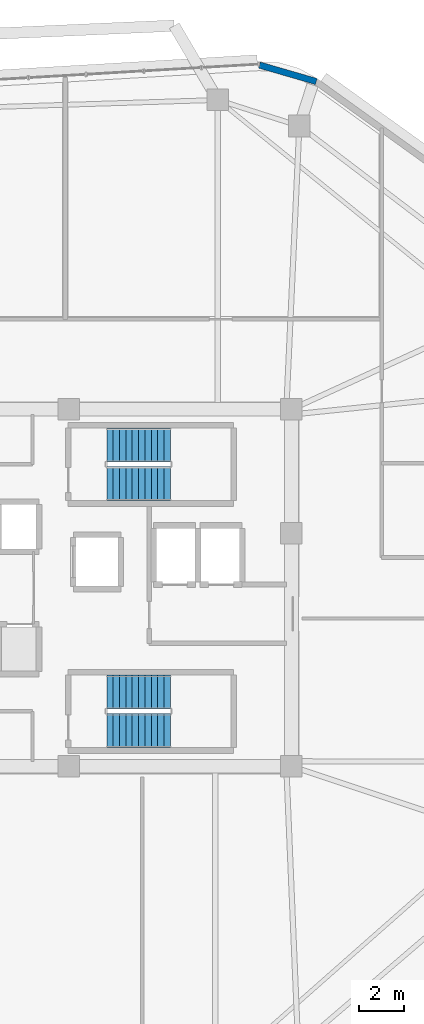
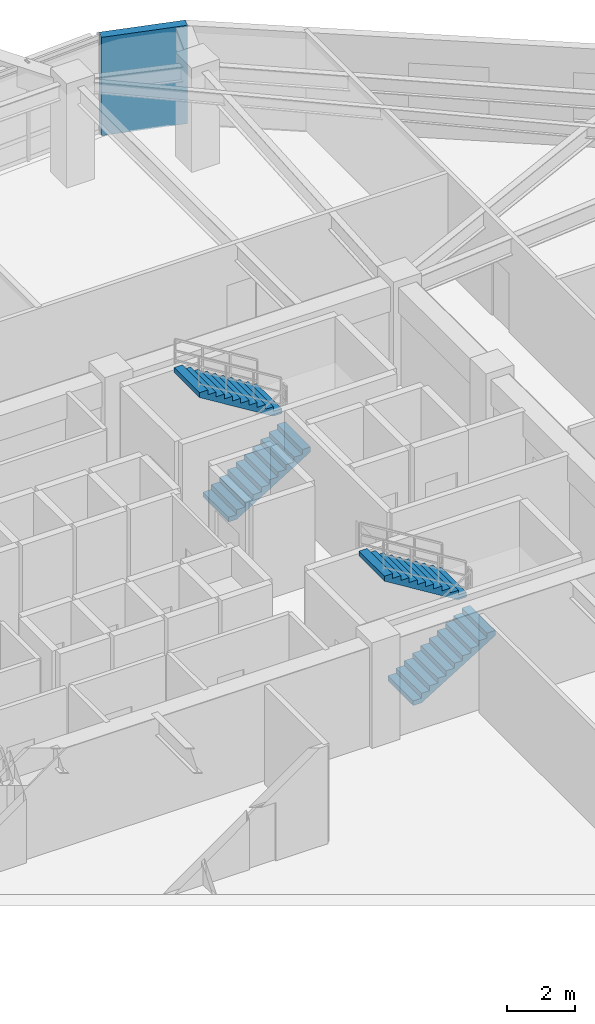
# One storey, part 11 of 15: 4 stair flights, 1 wall, 2 elements without a shape of their own.
"""IFC4 building model written with IfcOpenShell, lengths in metres."""

import ifcopenshell
import ifcopenshell.guid

model = None  # the IFC model being written
_history = None  # IfcOwnerHistory: only IFC2X3 demands one
_inside = {}  # id of a spatial element -> (the spatial element, [elements in it])
_under = {}  # id of a project, library or spatial element -> (it, [spatial elements below it])
_declared = {}  # id of a project -> (the project, [libraries it declares])
_typed = {}  # id of a type object -> (the type object, [elements of that type])
_made_of = {}  # id of a material, layer set ... -> (it, [elements and type objects made of it])


def new_model(schema):
    """Start an empty IFC model of exactly this schema.

    Asked for "IFC4X3", IfcOpenShell would pick the latest addendum, in which some entities
    have other attributes; the version numbers below select the first issue.
    IFC2X3 requires an IfcOwnerHistory on every rooted entity: one is made here for all.
    """
    global model, _history
    if schema == "IFC4X3":
        model = ifcopenshell.file(schema_version=(4, 3, 0, 0))
    else:
        model = ifcopenshell.file(schema=schema)
    _inside.clear()
    _under.clear()
    _declared.clear()
    _typed.clear()
    _made_of.clear()
    _history = None
    if model.schema == "IFC2X3":
        org = make("IfcOrganization", Name="unknown")
        user = make(
            "IfcPersonAndOrganization",
            ThePerson=make("IfcPerson", FamilyName="unknown"),
            TheOrganization=org,
        )
        app = make(
            "IfcApplication",
            ApplicationDeveloper=org,
            Version="unknown",
            ApplicationFullName="unknown",
            ApplicationIdentifier="unknown",
        )
        _history = make(
            "IfcOwnerHistory",
            OwningUser=user,
            OwningApplication=app,
            ChangeAction="ADDED",
            CreationDate=0,
        )
    return model


def make(cls, **values):
    """One entity of the class cls with the attributes given. An attribute that is None is left unset."""
    return model.create_entity(
        cls, **{name: value for name, value in values.items() if value is not None}
    )


def rooted(cls, **values):
    """An entity with a GlobalId (a new one), such as an element, a storey or a relation."""
    return make(cls, GlobalId=ifcopenshell.guid.new(), OwnerHistory=_history, **values)


def si_unit(unit_type, name, prefix=None):
    """IfcSIUnit, for example si_unit("LENGTHUNIT", "METRE", prefix="MILLI")."""
    return make("IfcSIUnit", UnitType=unit_type, Prefix=prefix, Name=name)


def assignment(units):
    """IfcUnitAssignment: the units of a project."""
    return None if units is None else make("IfcUnitAssignment", Units=units)


def point(xyz):
    """IfcCartesianPoint."""
    return None if xyz is None else make("IfcCartesianPoint", Coordinates=xyz)


def direction(xyz):
    """IfcDirection."""
    return None if xyz is None else make("IfcDirection", DirectionRatios=xyz)


def frame(location, z_axis=None, x_axis=None):
    """IfcAxis2Placement3D, a coordinate frame: its origin and axes. An axis left out is left unset."""
    return make(
        "IfcAxis2Placement3D",
        Location=point(location),
        Axis=direction(z_axis),
        RefDirection=direction(x_axis),
    )


def frame_2d(location, x_axis=None):
    """IfcAxis2Placement2D, a coordinate frame in the plane: its origin and x axis."""
    return make(
        "IfcAxis2Placement2D", Location=point(location), RefDirection=direction(x_axis)
    )


def origin():
    """The frame at (0, 0, 0) with its axes left unset."""
    return frame((0.0, 0.0, 0.0))


def place(relative_to, where):
    """IfcLocalPlacement: puts the frame where relative to a parent placement (None: the world)."""
    return make(
        "IfcLocalPlacement", PlacementRelTo=relative_to, RelativePlacement=where
    )


def context(
    kind, dimensions, precision=None, world=None, true_north=None, identifier=None
):
    """IfcGeometricRepresentationContext, for example the 3D "Model" context."""
    return make(
        "IfcGeometricRepresentationContext",
        ContextIdentifier=identifier,
        ContextType=kind,
        CoordinateSpaceDimension=dimensions,
        Precision=precision,
        WorldCoordinateSystem=world,
        TrueNorth=true_north,
    )


def subcontext(parent, identifier, kind, view, scale=None):
    """IfcGeometricRepresentationSubContext, for example "Body" below "Model"."""
    return make(
        "IfcGeometricRepresentationSubContext",
        ContextIdentifier=identifier,
        ContextType=kind,
        ParentContext=parent,
        TargetScale=scale,
        TargetView=view,
    )


def project(units=None, contexts=None):
    """IfcProject with its units and contexts."""
    return rooted(
        "IfcProject",
        Name="project",
        RepresentationContexts=contexts,
        UnitsInContext=assignment(units),
    )


def spatial(cls, under=None, at=None, **own):
    """A site, building, storey or space (cls), placed at a placement, below another one or the project."""
    s = rooted(cls, ObjectPlacement=at, **own)
    if under is not None:
        _under.setdefault(under.id(), (under, []))[1].append(s)
    return s


def polyline(points):
    """IfcPolyline through the points."""
    return make("IfcPolyline", Points=[point(p) for p in points])


def profile(cls, at=None, kind="AREA", **sizes):
    """A parametric profile (cls). Its sizes go by their IFC names, for example OverallWidth=200.0."""
    return make(cls, ProfileType=kind, Position=at, **sizes)


def rectangle(**sizes):
    """IfcRectangleProfileDef."""
    return profile("IfcRectangleProfileDef", **sizes)


def outline(outer, holes=None, kind="AREA"):
    """IfcArbitraryClosedProfileDef: a profile drawn as a closed curve; with holes, ...WithVoids."""
    if holes is None:
        return make("IfcArbitraryClosedProfileDef", ProfileType=kind, OuterCurve=outer)
    return make(
        "IfcArbitraryProfileDefWithVoids",
        ProfileType=kind,
        OuterCurve=outer,
        InnerCurves=holes,
    )


def extrude(swept, where, along, depth):
    """IfcExtrudedAreaSolid: the profile swept, set in the frame where, extruded along a direction by depth."""
    return make(
        "IfcExtrudedAreaSolid",
        SweptArea=swept,
        Position=where,
        ExtrudedDirection=direction(along),
        Depth=depth,
    )


def shape(context_of_items, identifier, shape_type, items):
    """IfcShapeRepresentation: the items that make up one representation, for example the "Body"."""
    return make(
        "IfcShapeRepresentation",
        ContextOfItems=context_of_items,
        RepresentationIdentifier=identifier,
        RepresentationType=shape_type,
        Items=items,
    )


def material(Name=None, Category=None):
    """IfcMaterial."""
    return make("IfcMaterial", Name=Name, Category=Category)


def layer(
    of_material, thickness, ventilated=None, Name=None, Category=None, Priority=None
):
    """IfcMaterialLayer: one layer of a wall or slab, of a material (None: an air gap)."""
    return make(
        "IfcMaterialLayer",
        Material=of_material,
        LayerThickness=thickness,
        IsVentilated=ventilated,
        Name=Name,
        Category=Category,
        Priority=Priority,
    )


def layer_set(layers, Name=None):
    """IfcMaterialLayerSet."""
    return make("IfcMaterialLayerSet", MaterialLayers=layers, LayerSetName=Name)


def made_of(thing, what):
    """Note that an element or type object is made of a material, layer set ...; save() writes the relation."""
    if what is not None:
        _made_of.setdefault(what.id(), (what, []))[1].append(thing)
    return thing


def type_object(cls, material=None, **own):
    """A type object (cls), such as IfcWallType, which elements share."""
    return made_of(rooted(cls, **own), material)


def element(
    cls,
    number,
    at=None,
    inside=None,
    cuts=None,
    type_object=None,
    material=None,
    context=None,
    identifier="Body",
    shape_type=None,
    held_by="IfcProductDefinitionShape",
    body=None,
    shapes=None,
    **own,
):
    """One element of the class cls, such as IfcWall. Its Tag is "e" and its number.

    at: its placement. inside: the storey or other place that contains it. cuts: it is an
    opening in that element (IfcRelVoidsElement). A single representation is given by context,
    identifier, shape_type and body (its items); several are given by shapes. held_by: the class
    of the entity that holds the representations. save() writes the other relations.
    """
    e = rooted(cls, Tag="e%d" % number, ObjectPlacement=at, **own)
    if body is not None:
        shapes = [shape(context, identifier, shape_type, body)]
    if shapes is not None:
        e.Representation = make(held_by, Representations=shapes)
    if inside is not None:
        _inside.setdefault(inside.id(), (inside, []))[1].append(e)
    if cuts is not None:
        rooted(
            "IfcRelVoidsElement", RelatingBuildingElement=cuts, RelatedOpeningElement=e
        )
    if type_object is not None:
        _typed.setdefault(type_object.id(), (type_object, []))[1].append(e)
    return made_of(e, material)


def aggregate(whole, parts):
    """IfcRelAggregates: a whole, such as a stair, and the parts it consists of."""
    return rooted("IfcRelAggregates", RelatingObject=whole, RelatedObjects=parts)


def save(model, path):
    """Write the relations noted so far, then the file.

    IfcRelAggregates (storeys below a building ...), IfcRelContainedInSpatialStructure (elements
    in a storey), IfcRelDefinesByType, IfcRelAssociatesMaterial and IfcRelDeclares: one each for
    every whole, place, type object, material and project.
    """
    for whole, parts in _under.values():
        aggregate(whole, parts)
    for where, things in _inside.values():
        rooted(
            "IfcRelContainedInSpatialStructure",
            RelatedElements=things,
            RelatingStructure=where,
        )
    for kind, things in _typed.values():
        rooted("IfcRelDefinesByType", RelatedObjects=things, RelatingType=kind)
    for what, things in _made_of.values():
        rooted("IfcRelAssociatesMaterial", RelatedObjects=things, RelatingMaterial=what)
    for by, libraries in _declared.values():
        rooted("IfcRelDeclares", RelatingContext=by, RelatedDefinitions=libraries)
    model.write(path)


model = new_model("IFC4")

# Units and contexts
model_context = context("Model", 3, precision=1e-05, world=origin(), true_north=direction((0.0, 1.0)))
body_context = subcontext(model_context, "Body", "Model", "MODEL_VIEW")
ifc_project = project(units=[si_unit("LENGTHUNIT", "METRE"), si_unit("AREAUNIT", "SQUARE_METRE"), si_unit("VOLUMEUNIT", "CUBIC_METRE"), si_unit("PLANEANGLEUNIT", "RADIAN"), si_unit("MASSUNIT", "GRAM", prefix="KILO")], contexts=[model_context])

# Site, building, storey
site_placement = place(None, origin())
site = spatial("IfcSite", under=ifc_project, at=site_placement, CompositionType="ELEMENT")
building_placement = place(site_placement, origin())
building = spatial("IfcBuilding", under=site, at=building_placement, Name="Zulverin Broadcast Headquarters", CompositionType="ELEMENT")
storey_placement = place(building_placement, frame((0.0, 0.0, 193.39990234375)))
storey = spatial("IfcBuildingStorey", under=building, at=storey_placement, Name="L49", CompositionType="ELEMENT", Elevation=193.39990234375)

# Wall
ifc_material_1 = material(Name="Insulated pale-metal clad concrete spandrel C40/50", Category="concrete")
ifc_layer = layer(ifc_material_1, 0.280029296875, Name="Insulated pale-metal clad concrete spandrel C40/50", Category="concrete")
ifc_layer_set = layer_set([ifc_layer], Name="Insulated pale-metal clad concrete spandrel C40/50")
wall_type = type_object("IfcWallType", Name="WL-EXT-280", PredefinedType="STANDARD", material=ifc_layer_set)
wall_placement = place(storey_placement, frame((49.3701171875, 47.535888671875, 0.0), z_axis=(0.0, 0.0, 1.0), x_axis=(-0.960380123045, 0.278693414453, 0.0)))
element("IfcWall", 1, at=wall_placement, inside=storey, type_object=wall_type, Name="L49 Wind-Shaped Corner Spandrel Wall 4-1", PredefinedType="STANDARD", context=body_context, shape_type="SweptSolid", body=[
    extrude(rectangle(XDim=2.6123046875, YDim=0.280029296875, at=frame_2d((1.30615234375, 0.0))), origin(), (0.0, 0.0, 1.0), 3.5400390625),
])

# Stair, stair flights
ifc_material_2 = material(Name="Concrete C40/50", Category="concrete")
stair_type = type_object("IfcStairType", Name="ST-CORE-1500", PredefinedType="HALF_TURN_STAIR", material=ifc_material_2)
stair_1_placement = place(storey_placement, origin())
stair_1 = element("IfcStair", 2, at=stair_1_placement, inside=storey, type_object=stair_type, Name="L49 Core Exit Stair ST-1", PredefinedType="HALF_TURN_STAIR")
stair_flight_type = type_object("IfcStairFlightType", Name="SF-CORE-1500", PredefinedType="STRAIGHT", material=ifc_material_2)
stair_flight_1_placement = place(storey_placement, frame((40.1298828125, 29.800048828125, 0.0), z_axis=(0.0, 0.0, 1.0), x_axis=(1.0, 0.0, 0.0)))
stair_flight_1 = element("IfcStairFlight", 3, at=stair_flight_1_placement, type_object=stair_flight_type, Name="ST-1 flight 1", NumberOfRisers=11, NumberOfTreads=10, PredefinedType="STRAIGHT", RiserHeight=0.172727273, TreadLength=0.28, context=body_context, shape_type="SweptSolid", body=[
    extrude(outline(polyline([(0.0, 0.0), (0.0, 0.172607421875), (0.280029296875, 0.172607421875), (0.280029296875, 0.345458984375), (0.56005859375, 0.345458984375), (0.56005859375, 0.51806640625), (0.840087890625, 0.51806640625), (0.840087890625, 0.69091796875), (1.1201171875, 0.69091796875), (1.1201171875, 0.863525390625), (1.39990234375, 0.863525390625), (1.39990234375, 1.036376953125), (1.679931640625, 1.036376953125), (1.679931640625, 1.208984375), (1.9599609375, 1.208984375), (1.9599609375, 1.3818359375), (2.239990234375, 1.3818359375), (2.239990234375, 1.554443359375), (2.52001953125, 1.554443359375), (2.52001953125, 1.727294921875), (2.800048828125, 1.727294921875), (2.800048828125, 1.89990234375), (2.800048828125, 1.551025390625), (0.285400390625, 0.0), (0.0, 0.0)])), frame((0.0, 0.75, 0.0), z_axis=(0.0, -1.0, 0.0), x_axis=(1.0, 0.0, 0.0)), (0.0, 0.0, 1.0), 1.5),
])
stair_flight_2_placement = place(storey_placement, frame((42.929931640625, 31.5, 1.900146484375), z_axis=(0.0, 0.0, 1.0), x_axis=(-1.0, 0.0, 0.0)))
stair_flight_2 = element("IfcStairFlight", 4, at=stair_flight_2_placement, type_object=stair_flight_type, Name="ST-1 flight 2", NumberOfRisers=11, NumberOfTreads=10, PredefinedType="STRAIGHT", RiserHeight=0.172727273, TreadLength=0.28, context=body_context, shape_type="SweptSolid", body=[
    extrude(outline(polyline([(0.0, 0.0), (0.0, 0.172607421875), (0.280029296875, 0.172607421875), (0.280029296875, 0.345458984375), (0.56005859375, 0.345458984375), (0.56005859375, 0.51806640625), (0.840087890625, 0.51806640625), (0.840087890625, 0.69091796875), (1.1201171875, 0.69091796875), (1.1201171875, 0.863525390625), (1.39990234375, 0.863525390625), (1.39990234375, 1.036376953125), (1.679931640625, 1.036376953125), (1.679931640625, 1.208984375), (1.9599609375, 1.208984375), (1.9599609375, 1.3818359375), (2.239990234375, 1.3818359375), (2.239990234375, 1.554443359375), (2.52001953125, 1.554443359375), (2.52001953125, 1.727294921875), (2.800048828125, 1.727294921875), (2.800048828125, 1.89990234375), (2.800048828125, 1.551025390625), (0.285400390625, 0.0), (0.0, 0.0)])), frame((0.0, 0.75, 0.0), z_axis=(0.0, -1.0, 0.0), x_axis=(1.0, 0.0, 0.0)), (0.0, 0.0, 1.0), 1.5),
])
aggregate(stair_1, [stair_flight_1, stair_flight_2])

stair_2_placement = place(storey_placement, origin())
stair_2 = element("IfcStair", 5, at=stair_2_placement, inside=storey, type_object=stair_type, Name="L49 Core Exit Stair ST-2", PredefinedType="HALF_TURN_STAIR")
stair_flight_3_placement = place(storey_placement, frame((40.1298828125, 18.89990234375, 0.0), z_axis=(0.0, 0.0, 1.0), x_axis=(1.0, 0.0, 0.0)))
stair_flight_3 = element("IfcStairFlight", 6, at=stair_flight_3_placement, type_object=stair_flight_type, Name="ST-2 flight 1", NumberOfRisers=11, NumberOfTreads=10, PredefinedType="STRAIGHT", RiserHeight=0.172727273, TreadLength=0.28, context=body_context, shape_type="SweptSolid", body=[
    extrude(outline(polyline([(0.0, 0.0), (0.0, 0.172607421875), (0.280029296875, 0.172607421875), (0.280029296875, 0.345458984375), (0.56005859375, 0.345458984375), (0.56005859375, 0.51806640625), (0.840087890625, 0.51806640625), (0.840087890625, 0.69091796875), (1.1201171875, 0.69091796875), (1.1201171875, 0.863525390625), (1.39990234375, 0.863525390625), (1.39990234375, 1.036376953125), (1.679931640625, 1.036376953125), (1.679931640625, 1.208984375), (1.9599609375, 1.208984375), (1.9599609375, 1.3818359375), (2.239990234375, 1.3818359375), (2.239990234375, 1.554443359375), (2.52001953125, 1.554443359375), (2.52001953125, 1.727294921875), (2.800048828125, 1.727294921875), (2.800048828125, 1.89990234375), (2.800048828125, 1.551025390625), (0.285400390625, 0.0), (0.0, 0.0)])), frame((0.0, 0.75, 0.0), z_axis=(0.0, -1.0, 0.0), x_axis=(1.0, 0.0, 0.0)), (0.0, 0.0, 1.0), 1.5),
])
stair_flight_4_placement = place(storey_placement, frame((42.929931640625, 20.60009765625, 1.900146484375), z_axis=(0.0, 0.0, 1.0), x_axis=(-1.0, 0.0, 0.0)))
stair_flight_4 = element("IfcStairFlight", 7, at=stair_flight_4_placement, type_object=stair_flight_type, Name="ST-2 flight 2", NumberOfRisers=11, NumberOfTreads=10, PredefinedType="STRAIGHT", RiserHeight=0.172727273, TreadLength=0.28, context=body_context, shape_type="SweptSolid", body=[
    extrude(outline(polyline([(0.0, 0.0), (0.0, 0.172607421875), (0.280029296875, 0.172607421875), (0.280029296875, 0.345458984375), (0.56005859375, 0.345458984375), (0.56005859375, 0.51806640625), (0.840087890625, 0.51806640625), (0.840087890625, 0.69091796875), (1.1201171875, 0.69091796875), (1.1201171875, 0.863525390625), (1.39990234375, 0.863525390625), (1.39990234375, 1.036376953125), (1.679931640625, 1.036376953125), (1.679931640625, 1.208984375), (1.9599609375, 1.208984375), (1.9599609375, 1.3818359375), (2.239990234375, 1.3818359375), (2.239990234375, 1.554443359375), (2.52001953125, 1.554443359375), (2.52001953125, 1.727294921875), (2.800048828125, 1.727294921875), (2.800048828125, 1.89990234375), (2.800048828125, 1.551025390625), (0.285400390625, 0.0), (0.0, 0.0)])), frame((0.0, 0.75, 0.0), z_axis=(0.0, -1.0, 0.0), x_axis=(1.0, 0.0, 0.0)), (0.0, 0.0, 1.0), 1.5),
])
aggregate(stair_2, [stair_flight_3, stair_flight_4])

save(model, "model.ifc")
